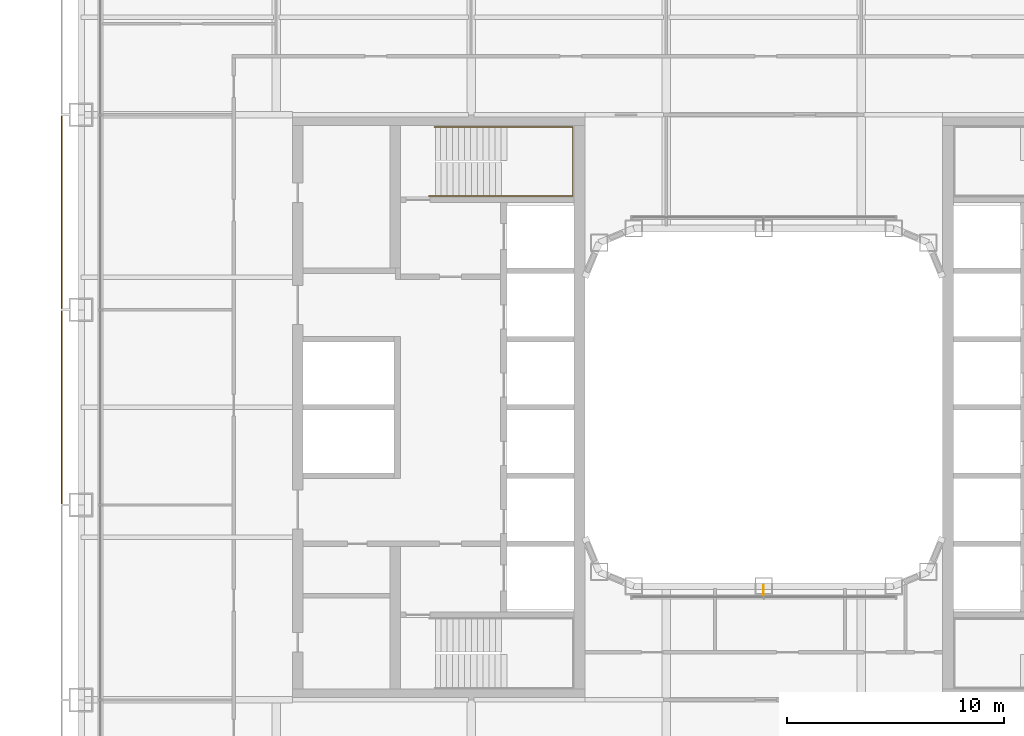
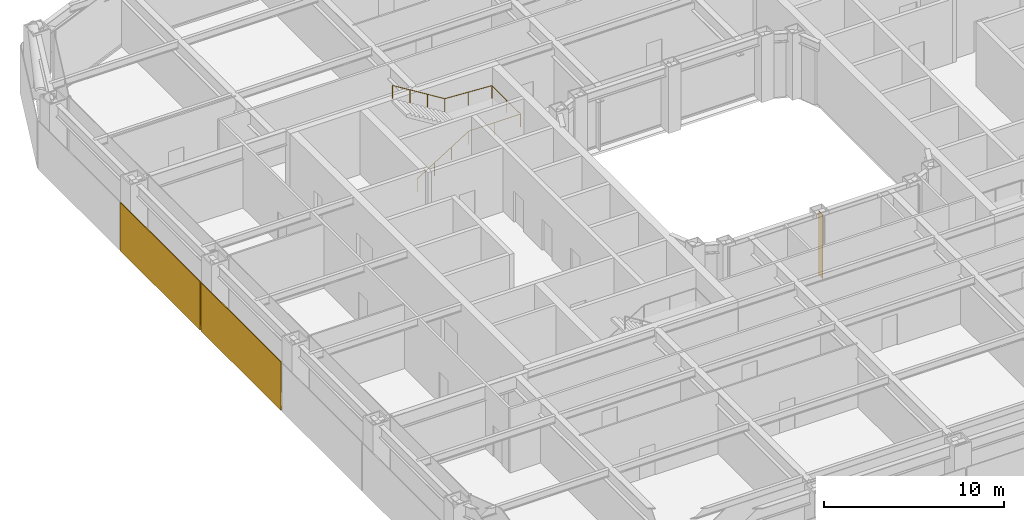
# One storey, part 24 of 27: 2 coverings, 1 railing, 1 shading device.
"""IFC4 building model written with IfcOpenShell, lengths in metres."""

from ifc_helpers import new_model, si_unit, direction, frame, origin, origin_2d, place, context, subcontext, project, spatial, rectangle, circle, extrude, material, layer, layer_set, type_object, element, save


model = new_model("IFC4")

# Units and contexts
model_context = context("Model", 3, precision=1e-05, world=origin(), true_north=direction((0.0, 1.0)))
body_context = subcontext(model_context, "Body", "Model", "MODEL_VIEW")
ifc_project = project(units=[si_unit("LENGTHUNIT", "METRE"), si_unit("AREAUNIT", "SQUARE_METRE"), si_unit("VOLUMEUNIT", "CUBIC_METRE"), si_unit("PLANEANGLEUNIT", "RADIAN"), si_unit("MASSUNIT", "GRAM", prefix="KILO")], contexts=[model_context])

# Site, building, storey
site_placement = place(None, origin())
site = spatial("IfcSite", under=ifc_project, at=site_placement, CompositionType="ELEMENT")
building_placement = place(site_placement, origin())
building = spatial("IfcBuilding", under=site, at=building_placement, Name="Siwar Civic Tower", CompositionType="ELEMENT")
storey_placement = place(building_placement, frame((0.0, 0.0, 35.699951171875)))
storey = spatial("IfcBuildingStorey", under=building, at=storey_placement, Name="L07", CompositionType="ELEMENT", Elevation=35.699951171875)

# Railing
ifc_material_1 = material(Name="Stainless steel", Category="steel")
railing_type = type_object("IfcRailingType", Name="CORE-STAIR-HANDRAIL", PredefinedType="HANDRAIL", material=ifc_material_1)
railing_placement = place(storey_placement, frame((-15.449951171875, 9.758056640625, 0.173095703125)))
element("IfcRailing", 1, at=railing_placement, inside=storey, type_object=railing_type, Name="Stair handrail ST1", PredefinedType="HANDRAIL", context=body_context, shape_type="SweptSolid", body=[
    extrude(circle(Radius=0.02001953125, at=origin_2d()), frame((0.0, 0.0, 0.8798828125), z_axis=(0.847063342986, 0.0, 0.531491950051), x_axis=(0.0, 1.0, 0.0)), (0.0, 0.0, 1.0), 3.90771484375),
    extrude(circle(Radius=0.02001953125, at=origin_2d()), frame((3.31005859375, 0.0, 2.956787109375), z_axis=(1.0, 0.0, 0.0), x_axis=(0.0, 1.0, 0.0)), (0.0, 0.0, 1.0), 3.331787109375),
    extrude(circle(Radius=0.02001953125, at=origin_2d()), frame((6.641845703125, 0.0, 2.956787109375), z_axis=(0.0, 1.0, 0.0), x_axis=(-1.0, 0.0, 0.0)), (0.0, 0.0, 1.0), 3.183837890625),
    extrude(circle(Radius=0.02001953125, at=origin_2d()), frame((6.641845703125, 3.183837890625, 2.956787109375), z_axis=(-0.99837434197, 0.0, 0.056997134106), x_axis=(0.0, -1.0, 0.0)), (0.0, 0.0, 1.0), 3.036865234375),
    extrude(circle(Radius=0.02001953125, at=origin_2d()), frame((3.60986328125, 3.183837890625, 3.1298828125), z_axis=(-0.850606129759, 0.0, 0.525803396734), x_axis=(0.0, -1.0, 0.0)), (0.0, 0.0, 1.0), 3.949951171875),
    extrude(circle(Radius=0.02001953125, at=origin_2d()), origin(), (0.0, 0.0, 1.0), 0.85986328125),
    extrude(circle(Radius=0.02001953125, at=origin_2d()), frame((1.103271484375, 0.0, 0.6923828125)), (0.0, 0.0, 1.0), 0.85986328125),
    extrude(circle(Radius=0.02001953125, at=origin_2d()), frame((2.206787109375, 0.0, 1.384521484375)), (0.0, 0.0, 1.0), 0.85986328125),
    extrude(circle(Radius=0.02001953125, at=origin_2d()), frame((3.31005859375, 0.0, 2.076904296875)), (0.0, 0.0, 1.0), 0.85986328125),
    extrude(circle(Radius=0.02001953125, at=origin_2d()), frame((4.97607421875, 0.0, 2.076904296875)), (0.0, 0.0, 1.0), 0.85986328125),
    extrude(circle(Radius=0.02001953125, at=origin_2d()), frame((6.641845703125, 0.0, 2.076904296875)), (0.0, 0.0, 1.0), 0.85986328125),
    extrude(circle(Radius=0.02001953125, at=origin_2d()), frame((6.641845703125, 1.591796875, 2.076904296875)), (0.0, 0.0, 1.0), 0.85986328125),
    extrude(circle(Radius=0.02001953125, at=origin_2d()), frame((6.641845703125, 3.183837890625, 2.076904296875)), (0.0, 0.0, 1.0), 0.85986328125),
    extrude(circle(Radius=0.02001953125, at=origin_2d()), frame((5.1259765625, 3.183837890625, 2.16357421875)), (0.0, 0.0, 1.0), 0.85986328125),
    extrude(circle(Radius=0.02001953125, at=origin_2d()), frame((3.60986328125, 3.183837890625, 2.25)), (0.0, 0.0, 1.0), 0.85986328125),
    extrude(circle(Radius=0.02001953125, at=origin_2d()), frame((2.489990234375, 3.183837890625, 2.9423828125)), (0.0, 0.0, 1.0), 0.85986328125),
    extrude(circle(Radius=0.02001953125, at=origin_2d()), frame((1.369873046875, 3.183837890625, 3.634521484375)), (0.0, 0.0, 1.0), 0.85986328125),
    extrude(circle(Radius=0.02001953125, at=origin_2d()), frame((0.25, 3.183837890625, 4.326904296875)), (0.0, 0.0, 1.0), 0.85986328125),
])

# Shading device
ifc_material_2 = material(Name="Aluminium 6063-T6", Category="aluminium")
ifc_layer_1 = layer(ifc_material_2, 0.02001953125)
ifc_layer_set_1 = layer_set([ifc_layer_1], Name="Aluminium 6063-T6")
shading_device_type = type_object("IfcShadingDeviceType", Name="ENV-FIN", PredefinedType="JALOUSIE", material=ifc_layer_set_1)
shading_device_placement = place(storey_placement, frame((0.0, -8.445068359375, 0.0), z_axis=(0.0, 0.0, 1.0), x_axis=(1.0, 0.0, 0.0)))
element("IfcShadingDevice", 2, at=shading_device_placement, inside=storey, type_object=shading_device_type, Name="SUNSHADE fin WS 1", PredefinedType="JALOUSIE", context=body_context, shape_type="SweptSolid", body=[
    extrude(rectangle(XDim=0.02001953125, YDim=0.449951171875, at=origin_2d()), origin(), (0.0, 0.0, 1.0), 4.35009765625),
])

# Coverings
ifc_material_3 = material(Name="Perforated aluminium cassette, pale metal", Category="aluminium")
ifc_layer_2 = layer(ifc_material_3, 0.050048828125)
ifc_layer_set_2 = layer_set([ifc_layer_2], Name="Perforated aluminium cassette, pale metal")
covering_type = type_object("IfcCoveringType", Name="ENV-OUTER SKIN OS-3", PredefinedType="CLADDING", material=ifc_layer_set_2)
for number, where, z_axis, x_axis, name in (
    (3, (-32.39990234375, 9.0, -0.14990234375), (0.0, 0.0, 1.0), (0.0, -1.0, 0.0), "OUTER SKIN OS-3 W 2"),
    (4, (-32.39990234375, 0.0, -0.14990234375), (0.0, 0.0, 1.0), (0.0, -1.0, 0.0), "OUTER SKIN OS-3 W 3"),
):
    element("IfcCovering", number, at=place(storey_placement, frame(where, z_axis=z_axis, x_axis=x_axis)), inside=storey, type_object=covering_type, Name=name, PredefinedType="CLADDING", context=body_context, shape_type="SweptSolid", body=[
        extrude(rectangle(XDim=8.89990234375, YDim=0.050048828125, at=origin_2d()), origin(), (0.0, 0.0, 1.0), 3.300048828125),
    ])

save(model, "model.ifc")
